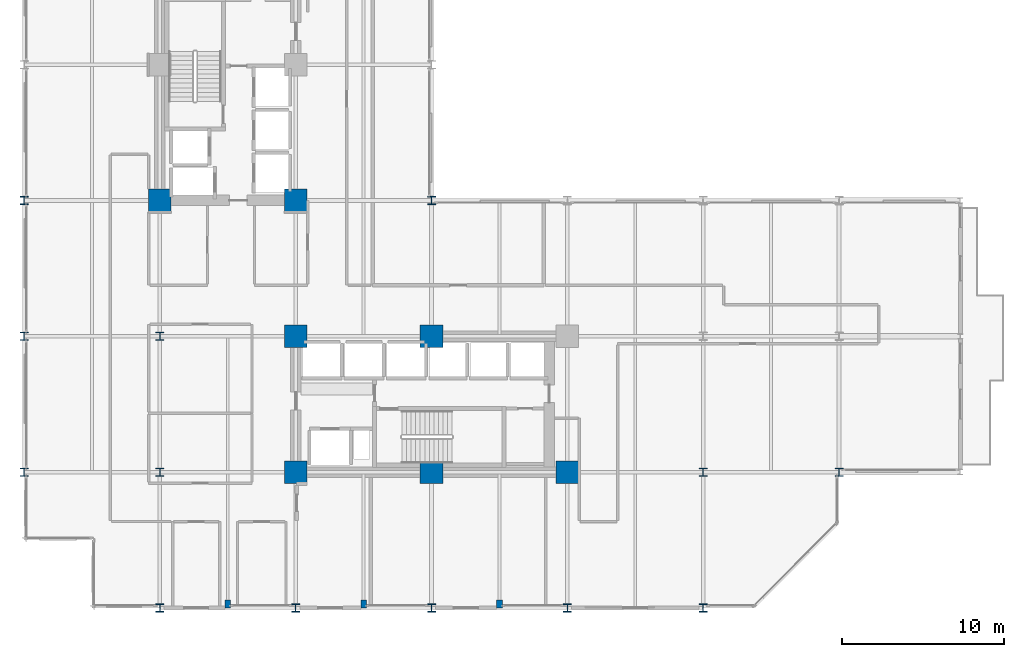
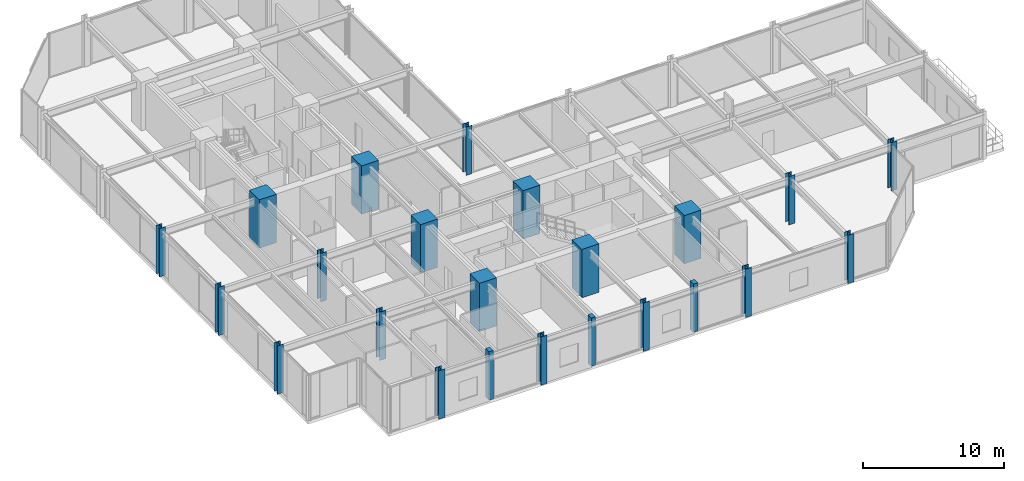
# One storey, part 1 of 26: 23 columns.
"""IFC4 building model written with IfcOpenShell, lengths in metres."""

from ifc_helpers import new_model, si_unit, direction, frame, origin, origin_2d, place, context, subcontext, project, spatial, rectangle, i_section, extrude, material, material_profile, profile_set, type_object, element, save


model = new_model("IFC4")

# Units and contexts
model_context = context("Model", 3, precision=1e-05, world=origin(), true_north=direction((0.0, 1.0)))
body_context = subcontext(model_context, "Body", "Model", "MODEL_VIEW")
ifc_project = project(units=[si_unit("LENGTHUNIT", "METRE"), si_unit("AREAUNIT", "SQUARE_METRE"), si_unit("VOLUMEUNIT", "CUBIC_METRE"), si_unit("PLANEANGLEUNIT", "RADIAN"), si_unit("MASSUNIT", "GRAM", prefix="KILO")], contexts=[model_context])

# Site, building, storey
site_placement = place(None, origin())
site = spatial("IfcSite", under=ifc_project, at=site_placement, CompositionType="ELEMENT")
building_placement = place(site_placement, origin())
building = spatial("IfcBuilding", under=site, at=building_placement, Name="Nerrivon Quay Data Exchange", CompositionType="ELEMENT")
storey_placement = place(building_placement, frame((0.0, 0.0, 71.0)))
storey = spatial("IfcBuildingStorey", under=building, at=storey_placement, Name="L16", CompositionType="ELEMENT", Elevation=71.0)

# Columns
ifc_material_1 = material(Name="Concrete N80 (80 MPa)", Category="concrete")
ifc_material_profile_1 = material_profile(ifc_material_1, rectangle(XDim=1.39990234375, YDim=1.39990234375, at=origin_2d()), Name="RC-COL-1400x1400")
ifc_profile_set_1 = profile_set([ifc_material_profile_1], Name="Concrete N80 (80 MPa)")
column_type_1 = type_object("IfcColumnType", Name="COL-C2-1400", PredefinedType="COLUMN", material=ifc_profile_set_1)
for number, where, z_axis, x_axis, name in (
    (1, (8.39990234375, 25.199951171875, 0.0), (0.0, 0.0, 1.0), (1.0, 0.0, 0.0), "L16 Column (8.4,25.2)"),
    (2, (16.800048828125, 8.39990234375, 0.0), (0.0, 0.0, 1.0), (1.0, 0.0, 0.0), "L16 Column (16.8,8.4)"),
    (3, (16.800048828125, 16.800048828125, 0.0), (0.0, 0.0, 1.0), (1.0, 0.0, 0.0), "L16 Column (16.8,16.8)"),
    (4, (16.800048828125, 25.199951171875, 0.0), (0.0, 0.0, 1.0), (1.0, 0.0, 0.0), "L16 Column (16.8,25.2)"),
    (5, (25.199951171875, 8.39990234375, 0.0), (0.0, 0.0, 1.0), (1.0, 0.0, 0.0), "L16 Column (25.2,8.4)"),
    (6, (25.199951171875, 16.800048828125, 0.0), (0.0, 0.0, 1.0), (1.0, 0.0, 0.0), "L16 Column (25.2,16.8)"),
    (7, (33.60009765625, 8.39990234375, 0.0), (0.0, 0.0, 1.0), (1.0, 0.0, 0.0), "L16 Column (33.6,8.4)"),
):
    element("IfcColumn", number, at=place(storey_placement, frame(where, z_axis=z_axis, x_axis=x_axis)), inside=storey, type_object=column_type_1, Name=name, PredefinedType="COLUMN", context=body_context, shape_type="SweptSolid", body=[
        extrude(rectangle(XDim=1.39990234375, YDim=1.39990234375, at=origin_2d()), origin(), (0.0, 0.0, 1.0), 4.199951171875),
    ])
ifc_material_2 = material(Name="Steel Grade 350", Category="steel")
ifc_material_profile_2 = material_profile(ifc_material_2, i_section(OverallWidth=0.5, OverallDepth=0.5, WebThickness=0.028076171875, FlangeThickness=0.0400390625, at=origin_2d()), Name="500WC440")
ifc_profile_set_2 = profile_set([ifc_material_profile_2], Name="Steel Grade 350")
column_type_2 = type_object("IfcColumnType", Name="COL-SC1-500WC", PredefinedType="COLUMN", material=ifc_profile_set_2)
for number, where, z_axis, x_axis, name in (
    (8, (0.0, 8.39990234375, 0.0), (0.0, 0.0, 1.0), (1.0, 0.0, 0.0), "L16 Column (0.0,8.4)"),
    (9, (0.0, 16.800048828125, 0.0), (0.0, 0.0, 1.0), (1.0, 0.0, 0.0), "L16 Column (0.0,16.8)"),
    (10, (0.0, 25.199951171875, 0.0), (0.0, 0.0, 1.0), (1.0, 0.0, 0.0), "L16 Column (0.0,25.2)"),
    (11, (8.39990234375, 0.0, 0.0), (0.0, 0.0, 1.0), (1.0, 0.0, 0.0), "L16 Column (8.4,0.0)"),
    (12, (8.39990234375, 8.39990234375, 0.0), (0.0, 0.0, 1.0), (1.0, 0.0, 0.0), "L16 Column (8.4,8.4)"),
    (13, (8.39990234375, 16.800048828125, 0.0), (0.0, 0.0, 1.0), (1.0, 0.0, 0.0), "L16 Column (8.4,16.8)"),
    (14, (16.800048828125, 0.0, 0.0), (0.0, 0.0, 1.0), (1.0, 0.0, 0.0), "L16 Column (16.8,0.0)"),
    (15, (25.199951171875, 0.0, 0.0), (0.0, 0.0, 1.0), (1.0, 0.0, 0.0), "L16 Column (25.2,0.0)"),
    (16, (25.199951171875, 25.199951171875, 0.0), (0.0, 0.0, 1.0), (1.0, 0.0, 0.0), "L16 Column (25.2,25.2)"),
    (17, (33.60009765625, 0.0, 0.0), (0.0, 0.0, 1.0), (1.0, 0.0, 0.0), "L16 Column (33.6,0.0)"),
    (18, (42.0, 0.0, 0.0), (0.0, 0.0, 1.0), (1.0, 0.0, 0.0), "L16 Column (42.0,0.0)"),
    (19, (42.0, 8.39990234375, 0.0), (0.0, 0.0, 1.0), (1.0, 0.0, 0.0), "L16 Column (42.0,8.4)"),
    (20, (50.39990234375, 8.39990234375, 0.0), (0.0, 0.0, 1.0), (1.0, 0.0, 0.0), "L16 Column (50.4,8.4)"),
):
    element("IfcColumn", number, at=place(storey_placement, frame(where, z_axis=z_axis, x_axis=x_axis)), inside=storey, type_object=column_type_2, Name=name, PredefinedType="COLUMN", context=body_context, shape_type="SweptSolid", body=[
        extrude(i_section(OverallWidth=0.5, OverallDepth=0.5, WebThickness=0.028076171875, FlangeThickness=0.0400390625, at=origin_2d()), origin(), (0.0, 0.0, 1.0), 4.199951171875),
    ])
ifc_material_3 = material(Name="Concrete N50 (50 MPa)", Category="concrete")
ifc_material_profile_3 = material_profile(ifc_material_3, rectangle(XDim=0.35009765625, YDim=0.5, at=origin_2d()), Name="RC-PIL-500x350")
ifc_profile_set_3 = profile_set([ifc_material_profile_3], Name="Concrete N50 (50 MPa)")
column_type_3 = type_object("IfcColumnType", Name="PIL-P2-500x350", PredefinedType="PILASTER", material=ifc_profile_set_3)
for number, where, z_axis, x_axis, name in (
    (21, (12.60009765625, 0.25, 0.0), (0.0, 0.0, 1.0), (1.0, 0.0, 0.0), "L16 Facade Pilaster (12.6)"),
    (22, (21.0, 0.25, 0.0), (0.0, 0.0, 1.0), (1.0, 0.0, 0.0), "L16 Facade Pilaster (21.0)"),
    (23, (29.39990234375, 0.25, 0.0), (0.0, 0.0, 1.0), (1.0, 0.0, 0.0), "L16 Facade Pilaster (29.4)"),
):
    element("IfcColumn", number, at=place(storey_placement, frame(where, z_axis=z_axis, x_axis=x_axis)), inside=storey, type_object=column_type_3, Name=name, PredefinedType="PILASTER", context=body_context, shape_type="SweptSolid", body=[
        extrude(rectangle(XDim=0.35009765625, YDim=0.5, at=origin_2d()), origin(), (0.0, 0.0, 1.0), 4.199951171875),
    ])

save(model, "model.ifc")
